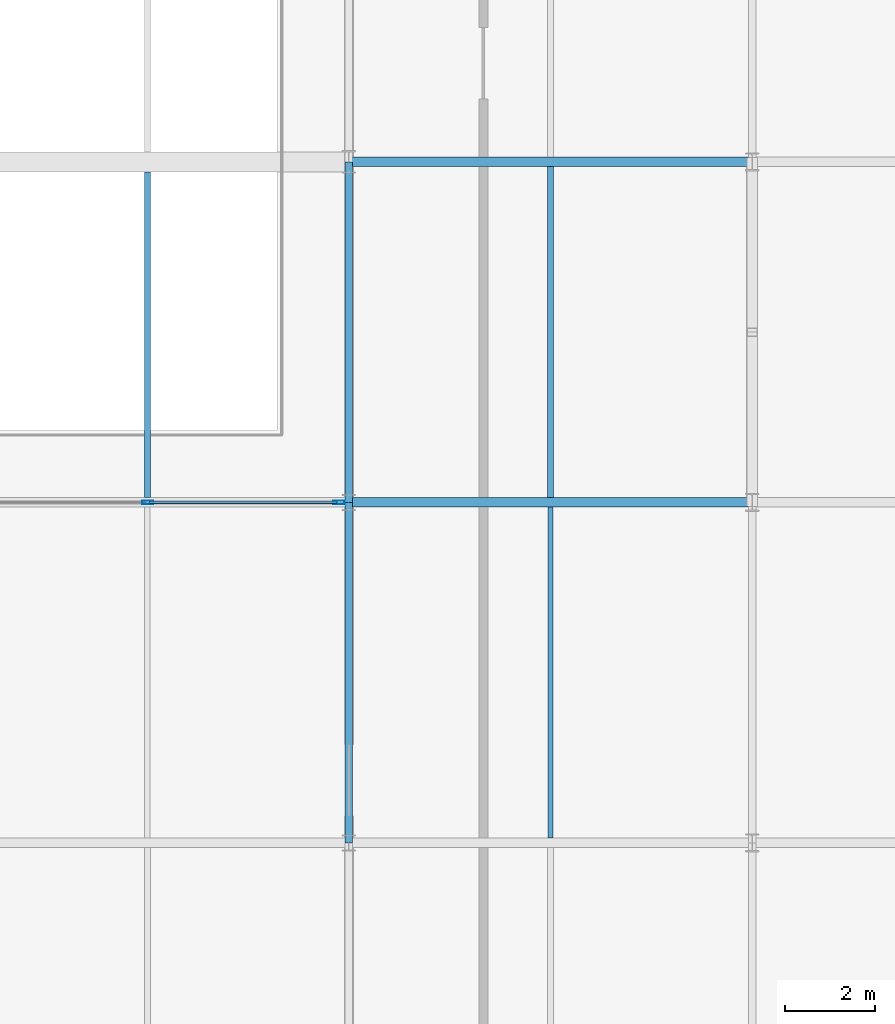
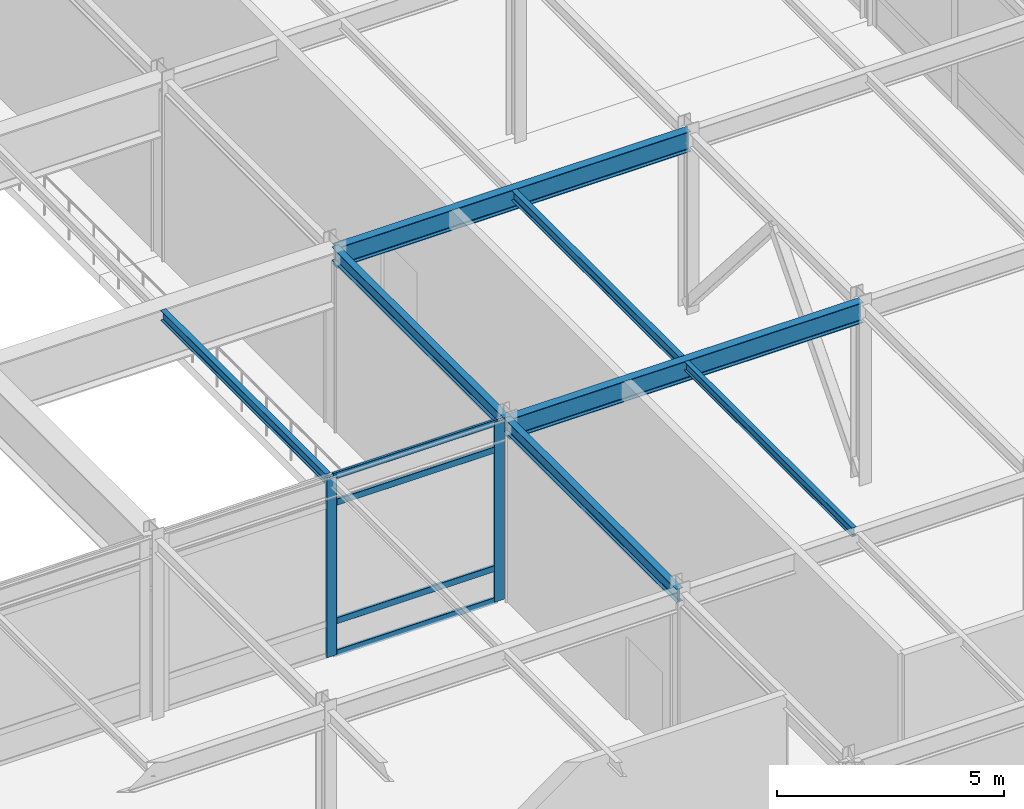
# One storey, part 29 of 79: 7 beams, 6 members, 1 element without a shape of its own.
"""IFC4 building model written with IfcOpenShell, lengths in metres."""

from ifc_helpers import new_model, si_unit, direction, frame, origin, origin_2d, place, context, subcontext, project, spatial, hollow_rectangle, i_section, extrude, material, layer, layer_set, material_profile, profile_set, type_object, element, aggregate, save


model = new_model("IFC4")

# Units and contexts
model_context = context("Model", 3, precision=1e-05, world=origin(), true_north=direction((0.0, 1.0)))
body_context = subcontext(model_context, "Body", "Model", "MODEL_VIEW")
ifc_project = project(units=[si_unit("LENGTHUNIT", "METRE"), si_unit("AREAUNIT", "SQUARE_METRE"), si_unit("VOLUMEUNIT", "CUBIC_METRE"), si_unit("PLANEANGLEUNIT", "RADIAN"), si_unit("MASSUNIT", "GRAM", prefix="KILO")], contexts=[model_context])

# Site, building, storey
site_placement = place(None, origin())
site = spatial("IfcSite", under=ifc_project, at=site_placement, CompositionType="ELEMENT")
building_placement = place(site_placement, origin())
building = spatial("IfcBuilding", under=site, at=building_placement, Name="Shalkamar Park Central Library", CompositionType="ELEMENT")
storey_placement = place(building_placement, frame((0.0, 0.0, 10.5)))
storey = spatial("IfcBuildingStorey", under=building, at=storey_placement, Name="L03", CompositionType="ELEMENT", Elevation=10.5)

# Beams
ifc_material_1 = material(Name="Steel S355", Category="steel")
ifc_material_profile_1 = material_profile(ifc_material_1, i_section(OverallWidth=0.1201171875, OverallDepth=0.239990234375, WebThickness=0.006103515625, FlangeThickness=0.009765625, FilletRadius=0.014892578125, at=origin_2d()), Name="IPE 240")
ifc_profile_set_1 = profile_set([ifc_material_profile_1], Name="Steel S355")
beam_type_1 = type_object("IfcBeamType", Name="Composite Floor Joist IPE240", PredefinedType="JOIST", material=ifc_profile_set_1)
beam_1_placement = place(storey_placement, frame((259.5, 262.903076171875, 4.719970703125), z_axis=(0.0, 1.0, 0.0), x_axis=(-1.0, 0.0, 0.0)))
element("IfcBeam", 1, at=beam_1_placement, inside=storey, type_object=beam_type_1, Name="Composite Joist 18/D-1 (L03)", PredefinedType="JOIST", context=body_context, shape_type="SweptSolid", body=[
    extrude(i_section(OverallWidth=0.1201171875, OverallDepth=0.239990234375, WebThickness=0.006103515625, FlangeThickness=0.009765625, FilletRadius=0.014892578125, at=origin_2d()), origin(), (0.0, 0.0, 1.0), 7.39404296875),
])
ifc_material_profile_2 = material_profile(ifc_material_1, i_section(OverallWidth=0.135009765625, OverallDepth=0.27001953125, WebThickness=0.006591796875, FlangeThickness=0.01025390625, FilletRadius=0.014892578125, at=origin_2d()), Name="IPE 270")
ifc_profile_set_2 = profile_set([ifc_material_profile_2], Name="Steel S355")
beam_type_2 = type_object("IfcBeamType", Name="Composite Floor Joist IPE270", PredefinedType="JOIST", material=ifc_profile_set_2)
beam_2_placement = place(storey_placement, frame((250.5, 270.5029296875, 4.705078125), z_axis=(0.0, 1.0, 0.0), x_axis=(-1.0, 0.0, 0.0)))
element("IfcBeam", 2, at=beam_2_placement, inside=storey, type_object=beam_type_2, Name="Composite Joist 17/E-1 (L03)", PredefinedType="JOIST", context=body_context, shape_type="SweptSolid", body=[
    extrude(i_section(OverallWidth=0.135009765625, OverallDepth=0.27001953125, WebThickness=0.006591796875, FlangeThickness=0.01025390625, FilletRadius=0.014892578125, at=origin_2d()), origin(), (0.0, 0.0, 1.0), 7.274169921875),
])
beam_3_placement = place(storey_placement, frame((259.5, 270.5029296875, 4.705078125), z_axis=(0.0, 1.0, 0.0), x_axis=(-1.0, 0.0, 0.0)))
element("IfcBeam", 3, at=beam_3_placement, inside=storey, type_object=beam_type_2, Name="Composite Joist 18/E-1 (L03)", PredefinedType="JOIST", context=body_context, shape_type="SweptSolid", body=[
    extrude(i_section(OverallWidth=0.135009765625, OverallDepth=0.27001953125, WebThickness=0.006591796875, FlangeThickness=0.01025390625, FilletRadius=0.014892578125, at=origin_2d()), origin(), (0.0, 0.0, 1.0), 7.39404296875),
])

# Curtain wall, members
ifc_material_2 = material(Name="Thermally broken aluminium and triple low-e curtain wall", Category="aluminium")
ifc_layer = layer(ifc_material_2, 0.2548828125)
ifc_layer_set = layer_set([ifc_layer], Name="AtriumGlazedScreen_122")
curtain_wall_type = type_object("IfcCurtainWallType", Name="Atrium Glazed Screen 122", PredefinedType="USERDEFINED", material=ifc_layer_set)
curtain_wall_placement = place(storey_placement, origin())
curtain_wall = element("IfcCurtainWall", 4, at=curtain_wall_placement, inside=storey, type_object=curtain_wall_type, Name="Atrium Glazed Screen CW-L03-179", ObjectType="ATRIUM GLAZED SCREEN", PredefinedType="USERDEFINED")
ifc_material_3 = material(Name="Aluminium 6060-T66", Category="aluminium")
ifc_material_profile_3 = material_profile(ifc_material_3, hollow_rectangle(XDim=0.080078125, YDim=0.2548828125, WallThickness=0.00439453125, InnerFilletRadius=0.00439453125, OuterFilletRadius=0.0068359375, at=origin_2d()), Name="ALU 80x255x4.5")
ifc_profile_set_3 = profile_set([ifc_material_profile_3], Name="Aluminium 6060-T66")
member_type_1 = type_object("IfcMemberType", Name="Curtain Wall Mullion ALU80x255", PredefinedType="MULLION", material=ifc_profile_set_3)
member_1_placement = place(storey_placement, frame((250.510009765625, 270.39990234375, 0.0), z_axis=(0.0, 0.0, 1.0), x_axis=(0.0, 1.0, 0.0)))
member_1 = element("IfcMember", 5, at=member_1_placement, type_object=member_type_1, Name="CW-122 mullion 2", PredefinedType="MULLION", context=body_context, shape_type="SweptSolid", body=[
    extrude(hollow_rectangle(XDim=0.080078125, YDim=0.2548828125, WallThickness=0.00439453125, InnerFilletRadius=0.00439453125, OuterFilletRadius=0.0068359375, at=origin_2d()), origin(), (0.0, 0.0, 1.0), 4.840087890625),
])
member_2_placement = place(storey_placement, frame((254.77587890625, 270.39990234375, 0.0), z_axis=(0.0, 0.0, 1.0), x_axis=(0.0, 1.0, 0.0)))
member_2 = element("IfcMember", 6, at=member_2_placement, type_object=member_type_1, Name="CW-122 mullion 3", PredefinedType="MULLION", context=body_context, shape_type="SweptSolid", body=[
    extrude(hollow_rectangle(XDim=0.080078125, YDim=0.2548828125, WallThickness=0.00439453125, InnerFilletRadius=0.00439453125, OuterFilletRadius=0.0068359375, at=origin_2d()), origin(), (0.0, 0.0, 1.0), 4.840087890625),
])
ifc_material_profile_4 = material_profile(ifc_material_3, hollow_rectangle(XDim=0.06494140625, YDim=0.169921875, WallThickness=0.00390625, InnerFilletRadius=0.00390625, OuterFilletRadius=0.006103515625, at=origin_2d()), Name="ALU 65x170x4")
ifc_profile_set_4 = profile_set([ifc_material_profile_4], Name="Aluminium 6060-T66")
member_type_2 = type_object("IfcMemberType", Name="Curtain Wall Transom ALU65x170", PredefinedType="USERDEFINED", material=ifc_profile_set_4)
member_3_placement = place(storey_placement, frame((250.550048828125, 270.39990234375, 0.032470703125), z_axis=(1.0, 0.0, 0.0), x_axis=(0.0, 1.0, 0.0)))
member_3 = element("IfcMember", 7, at=member_3_placement, type_object=member_type_2, Name="CW-122 transom 2.1", ObjectType="TRANSOM", PredefinedType="USERDEFINED", context=body_context, shape_type="SweptSolid", body=[
    extrude(hollow_rectangle(XDim=0.06494140625, YDim=0.169921875, WallThickness=0.00390625, InnerFilletRadius=0.00390625, OuterFilletRadius=0.006103515625, at=origin_2d()), origin(), (0.0, 0.0, 1.0), 4.18603515625),
])
member_4_placement = place(storey_placement, frame((250.550048828125, 270.39990234375, 0.89990234375), z_axis=(1.0, 0.0, 0.0), x_axis=(0.0, 1.0, 0.0)))
member_4 = element("IfcMember", 8, at=member_4_placement, type_object=member_type_2, Name="CW-122 transom 2.2", ObjectType="TRANSOM", PredefinedType="USERDEFINED", context=body_context, shape_type="SweptSolid", body=[
    extrude(hollow_rectangle(XDim=0.06494140625, YDim=0.169921875, WallThickness=0.00390625, InnerFilletRadius=0.00390625, OuterFilletRadius=0.006103515625, at=origin_2d()), origin(), (0.0, 0.0, 1.0), 4.18603515625),
])
member_5_placement = place(storey_placement, frame((250.550048828125, 270.39990234375, 4.090087890625), z_axis=(1.0, 0.0, 0.0), x_axis=(0.0, 1.0, 0.0)))
member_5 = element("IfcMember", 9, at=member_5_placement, type_object=member_type_2, Name="CW-122 transom 2.3", ObjectType="TRANSOM", PredefinedType="USERDEFINED", context=body_context, shape_type="SweptSolid", body=[
    extrude(hollow_rectangle(XDim=0.06494140625, YDim=0.169921875, WallThickness=0.00390625, InnerFilletRadius=0.00390625, OuterFilletRadius=0.006103515625, at=origin_2d()), origin(), (0.0, 0.0, 1.0), 4.18603515625),
])
member_6_placement = place(storey_placement, frame((250.550048828125, 270.39990234375, 4.8076171875), z_axis=(1.0, 0.0, 0.0), x_axis=(0.0, 1.0, 0.0)))
member_6 = element("IfcMember", 10, at=member_6_placement, type_object=member_type_2, Name="CW-122 transom 2.4", ObjectType="TRANSOM", PredefinedType="USERDEFINED", context=body_context, shape_type="SweptSolid", body=[
    extrude(hollow_rectangle(XDim=0.06494140625, YDim=0.169921875, WallThickness=0.00390625, InnerFilletRadius=0.00390625, OuterFilletRadius=0.006103515625, at=origin_2d()), origin(), (0.0, 0.0, 1.0), 4.18603515625),
])
aggregate(curtain_wall, [member_1, member_2, member_3, member_4, member_5, member_6])

# Beams
ifc_material_profile_5 = material_profile(ifc_material_1, i_section(OverallWidth=0.169921875, OverallDepth=0.360107421875, WebThickness=0.008056640625, FlangeThickness=0.0126953125, FilletRadius=0.01806640625, at=origin_2d()), Name="IPE 360")
ifc_profile_set_5 = profile_set([ifc_material_profile_5], Name="Steel S355")
beam_type_3 = type_object("IfcBeamType", Name="Primary Girder IPE360", PredefinedType="BEAM", material=ifc_profile_set_5)
beam_4_placement = place(storey_placement, frame((255.0, 262.800048828125, 4.659912109375), z_axis=(0.0, 1.0, 0.0), x_axis=(-1.0, 0.0, 0.0)))
element("IfcBeam", 11, at=beam_4_placement, inside=storey, type_object=beam_type_3, Name="Beam 18:D-E (L03)", PredefinedType="BEAM", context=body_context, shape_type="SweptSolid", body=[
    extrude(i_section(OverallWidth=0.169921875, OverallDepth=0.360107421875, WebThickness=0.008056640625, FlangeThickness=0.0126953125, FilletRadius=0.01806640625, at=origin_2d()), origin(), (0.0, 0.0, 1.0), 7.599853515625),
])
beam_5_placement = place(storey_placement, frame((255.0, 270.39990234375, 4.659912109375), z_axis=(0.0, 1.0, 0.0), x_axis=(-1.0, 0.0, 0.0)))
element("IfcBeam", 12, at=beam_5_placement, inside=storey, type_object=beam_type_3, Name="Beam 18:E-F (L03)", PredefinedType="BEAM", context=body_context, shape_type="SweptSolid", body=[
    extrude(i_section(OverallWidth=0.169921875, OverallDepth=0.360107421875, WebThickness=0.008056640625, FlangeThickness=0.0126953125, FilletRadius=0.01806640625, at=origin_2d()), origin(), (0.0, 0.0, 1.0), 7.60009765625),
])
ifc_material_profile_6 = material_profile(ifc_material_1, i_section(OverallWidth=0.2099609375, OverallDepth=0.550048828125, WebThickness=0.010986328125, FlangeThickness=0.01708984375, FilletRadius=0.02392578125, at=origin_2d()), Name="IPE 550")
ifc_profile_set_6 = profile_set([ifc_material_profile_6], Name="Steel S355")
beam_type_4 = type_object("IfcBeamType", Name="Primary Girder IPE550", PredefinedType="BEAM", material=ifc_profile_set_6)
for number, where, z_axis, x_axis, name in (
    (13, (255.0, 270.39990234375, 4.56494140625), (1.0, 0.0, 0.0), (0.0, 1.0, 0.0), "Beam E:18-19 (L03)"),
    (14, (255.0, 278.0, 4.56494140625), (1.0, 0.0, 0.0), (0.0, 1.0, 0.0), "Beam F:18-19 (L03)"),
):
    element("IfcBeam", number, at=place(storey_placement, frame(where, z_axis=z_axis, x_axis=x_axis)), inside=storey, type_object=beam_type_4, Name=name, PredefinedType="BEAM", context=body_context, shape_type="SweptSolid", body=[
        extrude(i_section(OverallWidth=0.2099609375, OverallDepth=0.550048828125, WebThickness=0.010986328125, FlangeThickness=0.01708984375, FilletRadius=0.02392578125, at=origin_2d()), origin(), (0.0, 0.0, 1.0), 9.0),
    ])

save(model, "model.ifc")
